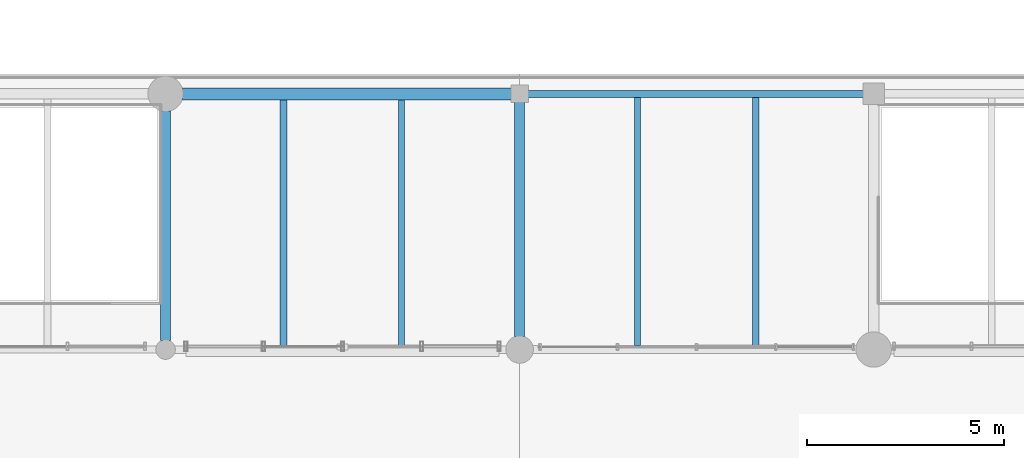
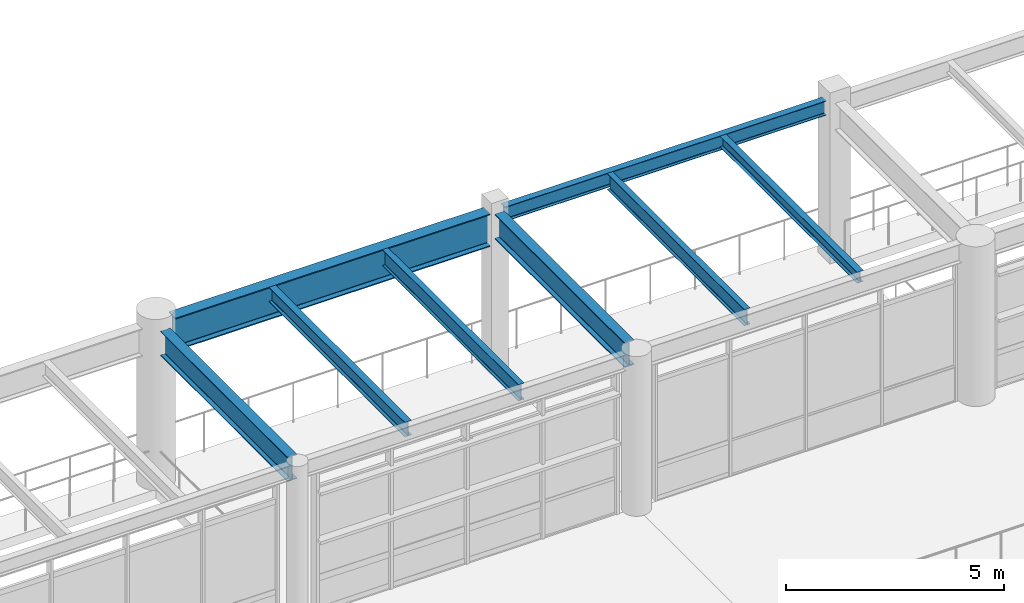
# One storey, part 48 of 200: 8 beams.
"""IFC4 building model written with IfcOpenShell, lengths in metres."""

from ifc_helpers import new_model, si_unit, direction, frame, origin, origin_2d, place, context, subcontext, project, spatial, i_section, extrude, material, material_profile, profile_set, type_object, element, save


model = new_model("IFC4")

# Units and contexts
model_context = context("Model", 3, precision=1e-05, world=origin(), true_north=direction((0.0, 1.0)))
body_context = subcontext(model_context, "Body", "Model", "MODEL_VIEW")
ifc_project = project(units=[si_unit("LENGTHUNIT", "METRE"), si_unit("AREAUNIT", "SQUARE_METRE"), si_unit("VOLUMEUNIT", "CUBIC_METRE"), si_unit("PLANEANGLEUNIT", "RADIAN"), si_unit("MASSUNIT", "GRAM", prefix="KILO"), si_unit("THERMODYNAMICTEMPERATUREUNIT", "KELVIN"), si_unit("POWERUNIT", "WATT")], contexts=[model_context])

# Site, building, storey
site_placement = place(None, origin())
site = spatial("IfcSite", under=ifc_project, at=site_placement, CompositionType="ELEMENT")
building_placement = place(site_placement, origin())
building = spatial("IfcBuilding", under=site, at=building_placement, Name="Tepalcoro Natatorium and Aquatics Centre", CompositionType="ELEMENT")
storey_placement = place(building_placement, frame((0.0, 0.0, 5.39990234375)))
storey = spatial("IfcBuildingStorey", under=building, at=storey_placement, Name="L01", CompositionType="ELEMENT", Elevation=5.39990234375)

# Beams
ifc_material = material(Name="Steel ASTM A992 Grade 50 (Fy 345 MPa)", Category="steel")
ifc_material_profile_1 = material_profile(ifc_material, i_section(OverallWidth=0.177978515625, OverallDepth=0.406005859375, WebThickness=0.008056640625, FlangeThickness=0.012939453125, FilletRadius=0.013916015625, at=origin_2d()), Name="W16X40")
ifc_profile_set_1 = profile_set([ifc_material_profile_1], Name="Steel ASTM A992 Grade 50 (Fy 345 MPa)")
beam_type_1 = type_object("IfcBeamType", Name="BM_W16x40", PredefinedType="BEAM", material=ifc_profile_set_1)
beam_1_placement = place(storey_placement, frame((89.2099609375, 13.0, 4.26220703125), z_axis=(1.0, 0.0, 0.0), x_axis=(0.0, 1.0, 0.0)))
element("IfcBeam", 1, at=beam_1_placement, inside=storey, type_object=beam_type_1, Name="V1 L01 Grid Girder X", PredefinedType="BEAM", context=body_context, shape_type="SweptSolid", body=[
    extrude(i_section(OverallWidth=0.177978515625, OverallDepth=0.406005859375, WebThickness=0.008056640625, FlangeThickness=0.012939453125, FilletRadius=0.013916015625, at=origin_2d()), origin(), (0.0, 0.0, 1.0), 8.530029296875),
])
ifc_material_profile_2 = material_profile(ifc_material, i_section(OverallWidth=0.25390625, OverallDepth=0.68798828125, WebThickness=0.012939453125, FlangeThickness=0.02099609375, FilletRadius=0.013916015625, at=origin_2d()), Name="W27X102")
ifc_profile_set_2 = profile_set([ifc_material_profile_2], Name="Steel ASTM A992 Grade 50 (Fy 345 MPa)")
beam_type_2 = type_object("IfcBeamType", Name="BM_W27x102", PredefinedType="BEAM", material=ifc_profile_set_2)
beam_2_placement = place(storey_placement, frame((80.0, 6.735107421875, 4.12109375), z_axis=(0.0, 1.0, 0.0), x_axis=(-1.0, 0.0, 0.0)))
element("IfcBeam", 2, at=beam_2_placement, inside=storey, type_object=beam_type_2, Name="V1 L01 Grid Girder Y", PredefinedType="BEAM", context=body_context, shape_type="SweptSolid", body=[
    extrude(i_section(OverallWidth=0.25390625, OverallDepth=0.68798828125, WebThickness=0.012939453125, FlangeThickness=0.02099609375, FilletRadius=0.013916015625, at=origin_2d()), origin(), (0.0, 0.0, 1.0), 5.829833984375),
])
ifc_material_profile_3 = material_profile(ifc_material, i_section(OverallWidth=0.25390625, OverallDepth=0.700927734375, WebThickness=0.014892578125, FlangeThickness=0.028076171875, FilletRadius=0.013916015625, at=origin_2d()), Name="W27X129")
ifc_profile_set_3 = profile_set([ifc_material_profile_3], Name="Steel ASTM A992 Grade 50 (Fy 345 MPa)")
beam_type_3 = type_object("IfcBeamType", Name="BM_W27x129", PredefinedType="BEAM", material=ifc_profile_set_3)
beam_3_placement = place(storey_placement, frame((89.0, 6.8349609375, 4.114501953125), z_axis=(0.0, 1.0, 0.0), x_axis=(-1.0, 0.0, 0.0)))
element("IfcBeam", 3, at=beam_3_placement, inside=storey, type_object=beam_type_3, Name="V1 L01 Grid Girder Y", PredefinedType="BEAM", context=body_context, shape_type="SweptSolid", body=[
    extrude(i_section(OverallWidth=0.25390625, OverallDepth=0.700927734375, WebThickness=0.014892578125, FlangeThickness=0.028076171875, FilletRadius=0.013916015625, at=origin_2d()), origin(), (0.0, 0.0, 1.0), 5.955078125),
])
ifc_material_profile_4 = material_profile(ifc_material, i_section(OverallWidth=0.304931640625, OverallDepth=0.9189453125, WebThickness=0.01708984375, FlangeThickness=0.028076171875, FilletRadius=0.013916015625, at=origin_2d()), Name="W36X170")
ifc_profile_set_4 = profile_set([ifc_material_profile_4], Name="Steel ASTM A992 Grade 50 (Fy 345 MPa)")
beam_type_4 = type_object("IfcBeamType", Name="BM_W36x170", PredefinedType="BEAM", material=ifc_profile_set_4)
beam_4_placement = place(storey_placement, frame((80.43505859375, 13.0, 4.005615234375), z_axis=(1.0, 0.0, 0.0), x_axis=(0.0, 1.0, 0.0)))
element("IfcBeam", 4, at=beam_4_placement, inside=storey, type_object=beam_type_4, Name="V1 L01 Grid Girder X", PredefinedType="BEAM", context=body_context, shape_type="SweptSolid", body=[
    extrude(i_section(OverallWidth=0.304931640625, OverallDepth=0.9189453125, WebThickness=0.01708984375, FlangeThickness=0.028076171875, FilletRadius=0.013916015625, at=origin_2d()), origin(), (0.0, 0.0, 1.0), 8.35498046875),
])
ifc_material_profile_5 = material_profile(ifc_material, i_section(OverallWidth=0.1650390625, OverallDepth=0.31005859375, WebThickness=0.006103515625, FlangeThickness=0.010009765625, FilletRadius=0.013916015625, at=origin_2d()), Name="W12X26")
ifc_profile_set_5 = profile_set([ifc_material_profile_5], Name="Steel ASTM A992 Grade 50 (Fy 345 MPa)")
beam_type_5 = type_object("IfcBeamType", Name="JS_W12x26", PredefinedType="JOIST", material=ifc_profile_set_5)
beam_5_placement = place(storey_placement, frame((95.0, 6.60498046875, 4.31005859375), z_axis=(0.0, 1.0, 0.0), x_axis=(-1.0, 0.0, 0.0)))
element("IfcBeam", 5, at=beam_5_placement, inside=storey, type_object=beam_type_5, Name="V1 L01 Floor Joist", PredefinedType="JOIST", context=body_context, shape_type="SweptSolid", body=[
    extrude(i_section(OverallWidth=0.1650390625, OverallDepth=0.31005859375, WebThickness=0.006103515625, FlangeThickness=0.010009765625, FilletRadius=0.013916015625, at=origin_2d()), origin(), (0.0, 0.0, 1.0), 6.305908203125),
])
ifc_material_profile_6 = material_profile(ifc_material, i_section(OverallWidth=0.178955078125, OverallDepth=0.409912109375, WebThickness=0.009033203125, FlangeThickness=0.013916015625, FilletRadius=0.013916015625, at=origin_2d()), Name="W16X45")
ifc_profile_set_6 = profile_set([ifc_material_profile_6], Name="Steel ASTM A992 Grade 50 (Fy 345 MPa)")
beam_type_6 = type_object("IfcBeamType", Name="JS_W16x45", PredefinedType="JOIST", material=ifc_profile_set_6)
beam_6_placement = place(storey_placement, frame((83.0, 6.595458984375, 4.260009765625), z_axis=(0.0, 1.0, 0.0), x_axis=(-1.0, 0.0, 0.0)))
element("IfcBeam", 6, at=beam_6_placement, inside=storey, type_object=beam_type_6, Name="V1 L01 Floor Joist", PredefinedType="JOIST", context=body_context, shape_type="SweptSolid", body=[
    extrude(i_section(OverallWidth=0.178955078125, OverallDepth=0.409912109375, WebThickness=0.009033203125, FlangeThickness=0.013916015625, FilletRadius=0.013916015625, at=origin_2d()), origin(), (0.0, 0.0, 1.0), 6.251953125),
])
ifc_material_profile_7 = material_profile(ifc_material, i_section(OverallWidth=0.153076171875, OverallDepth=0.455078125, WebThickness=0.008056640625, FlangeThickness=0.012939453125, FilletRadius=0.013916015625, at=origin_2d()), Name="W18X40")
ifc_profile_set_7 = profile_set([ifc_material_profile_7], Name="Steel ASTM A992 Grade 50 (Fy 345 MPa)")
beam_type_7 = type_object("IfcBeamType", Name="JS_W18x40", PredefinedType="JOIST", material=ifc_profile_set_7)
beam_7_placement = place(storey_placement, frame((86.0, 6.595458984375, 4.237548828125), z_axis=(0.0, 1.0, 0.0), x_axis=(-1.0, 0.0, 0.0)))
element("IfcBeam", 7, at=beam_7_placement, inside=storey, type_object=beam_type_7, Name="V1 L01 Floor Joist", PredefinedType="JOIST", context=body_context, shape_type="SweptSolid", body=[
    extrude(i_section(OverallWidth=0.153076171875, OverallDepth=0.455078125, WebThickness=0.008056640625, FlangeThickness=0.012939453125, FilletRadius=0.013916015625, at=origin_2d()), origin(), (0.0, 0.0, 1.0), 6.251953125),
])
beam_8_placement = place(storey_placement, frame((92.0, 6.60498046875, 4.237548828125), z_axis=(0.0, 1.0, 0.0), x_axis=(-1.0, 0.0, 0.0)))
element("IfcBeam", 8, at=beam_8_placement, inside=storey, type_object=beam_type_7, Name="V1 L01 Floor Joist", PredefinedType="JOIST", context=body_context, shape_type="SweptSolid", body=[
    extrude(i_section(OverallWidth=0.153076171875, OverallDepth=0.455078125, WebThickness=0.008056640625, FlangeThickness=0.012939453125, FilletRadius=0.013916015625, at=origin_2d()), origin(), (0.0, 0.0, 1.0), 6.305908203125),
])

save(model, "model.ifc")
